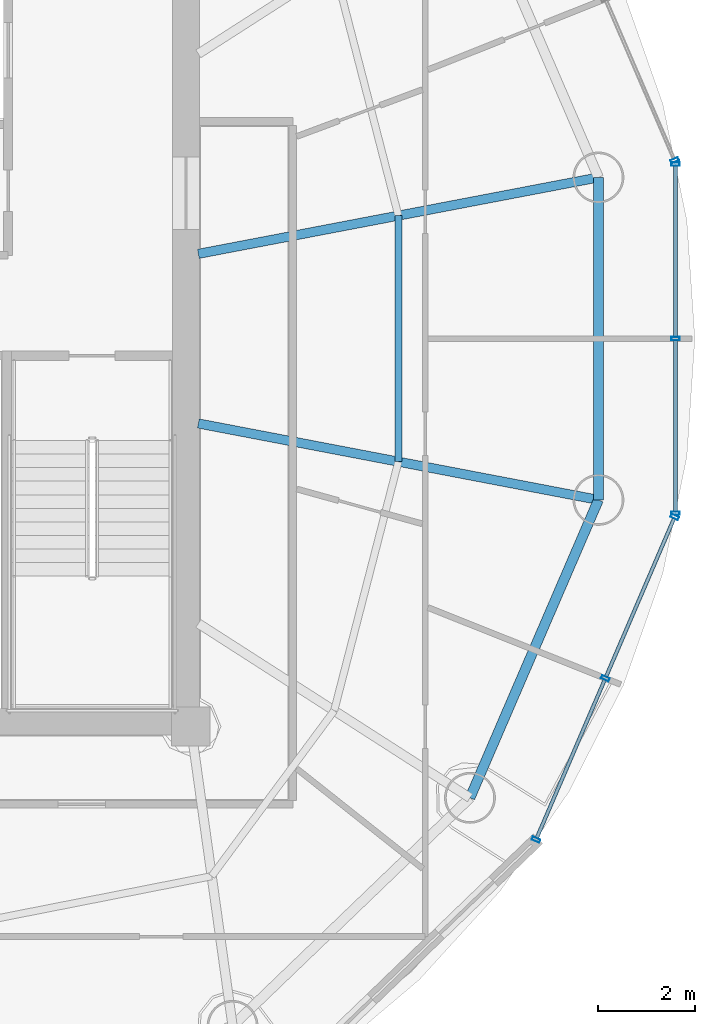
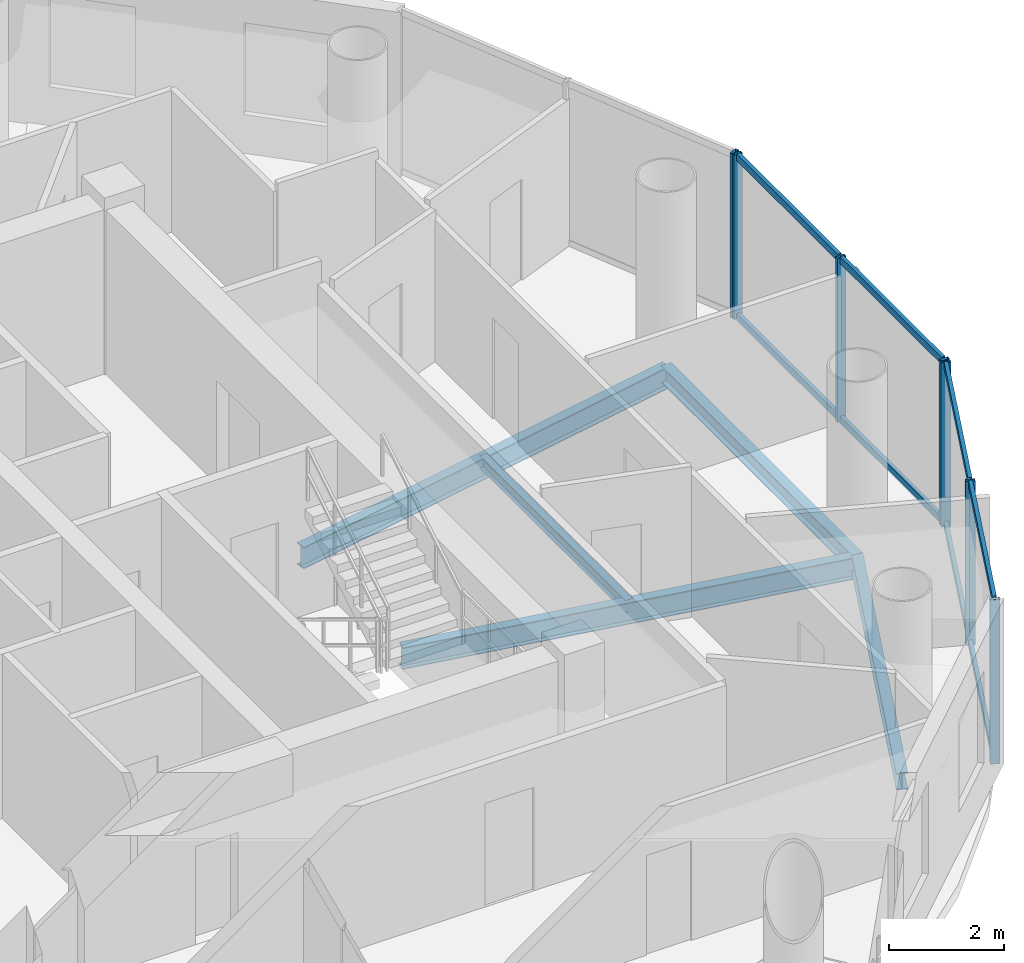
# One storey, part 9 of 21: 15 members, 5 beams, 3 elements without a shape of their own.
"""IFC4 building model written with IfcOpenShell, lengths in metres."""

import ifcopenshell
import ifcopenshell.guid

model = None  # the IFC model being written
_history = None  # IfcOwnerHistory: only IFC2X3 demands one
_inside = {}  # id of a spatial element -> (the spatial element, [elements in it])
_under = {}  # id of a project, library or spatial element -> (it, [spatial elements below it])
_declared = {}  # id of a project -> (the project, [libraries it declares])
_typed = {}  # id of a type object -> (the type object, [elements of that type])
_made_of = {}  # id of a material, layer set ... -> (it, [elements and type objects made of it])


def new_model(schema):
    """Start an empty IFC model of exactly this schema.

    Asked for "IFC4X3", IfcOpenShell would pick the latest addendum, in which some entities
    have other attributes; the version numbers below select the first issue.
    IFC2X3 requires an IfcOwnerHistory on every rooted entity: one is made here for all.
    """
    global model, _history
    if schema == "IFC4X3":
        model = ifcopenshell.file(schema_version=(4, 3, 0, 0))
    else:
        model = ifcopenshell.file(schema=schema)
    _inside.clear()
    _under.clear()
    _declared.clear()
    _typed.clear()
    _made_of.clear()
    _history = None
    if model.schema == "IFC2X3":
        org = make("IfcOrganization", Name="unknown")
        user = make(
            "IfcPersonAndOrganization",
            ThePerson=make("IfcPerson", FamilyName="unknown"),
            TheOrganization=org,
        )
        app = make(
            "IfcApplication",
            ApplicationDeveloper=org,
            Version="unknown",
            ApplicationFullName="unknown",
            ApplicationIdentifier="unknown",
        )
        _history = make(
            "IfcOwnerHistory",
            OwningUser=user,
            OwningApplication=app,
            ChangeAction="ADDED",
            CreationDate=0,
        )
    return model


def make(cls, **values):
    """One entity of the class cls with the attributes given. An attribute that is None is left unset."""
    return model.create_entity(
        cls, **{name: value for name, value in values.items() if value is not None}
    )


def rooted(cls, **values):
    """An entity with a GlobalId (a new one), such as an element, a storey or a relation."""
    return make(cls, GlobalId=ifcopenshell.guid.new(), OwnerHistory=_history, **values)


def si_unit(unit_type, name, prefix=None):
    """IfcSIUnit, for example si_unit("LENGTHUNIT", "METRE", prefix="MILLI")."""
    return make("IfcSIUnit", UnitType=unit_type, Prefix=prefix, Name=name)


def assignment(units):
    """IfcUnitAssignment: the units of a project."""
    return None if units is None else make("IfcUnitAssignment", Units=units)


def point(xyz):
    """IfcCartesianPoint."""
    return None if xyz is None else make("IfcCartesianPoint", Coordinates=xyz)


def direction(xyz):
    """IfcDirection."""
    return None if xyz is None else make("IfcDirection", DirectionRatios=xyz)


def frame(location, z_axis=None, x_axis=None):
    """IfcAxis2Placement3D, a coordinate frame: its origin and axes. An axis left out is left unset."""
    return make(
        "IfcAxis2Placement3D",
        Location=point(location),
        Axis=direction(z_axis),
        RefDirection=direction(x_axis),
    )


def frame_2d(location, x_axis=None):
    """IfcAxis2Placement2D, a coordinate frame in the plane: its origin and x axis."""
    return make(
        "IfcAxis2Placement2D", Location=point(location), RefDirection=direction(x_axis)
    )


def origin():
    """The frame at (0, 0, 0) with its axes left unset."""
    return frame((0.0, 0.0, 0.0))


def origin_2d():
    """The frame at (0, 0) in the plane with its x axis left unset."""
    return frame_2d((0.0, 0.0))


def place(relative_to, where):
    """IfcLocalPlacement: puts the frame where relative to a parent placement (None: the world)."""
    return make(
        "IfcLocalPlacement", PlacementRelTo=relative_to, RelativePlacement=where
    )


def context(
    kind, dimensions, precision=None, world=None, true_north=None, identifier=None
):
    """IfcGeometricRepresentationContext, for example the 3D "Model" context."""
    return make(
        "IfcGeometricRepresentationContext",
        ContextIdentifier=identifier,
        ContextType=kind,
        CoordinateSpaceDimension=dimensions,
        Precision=precision,
        WorldCoordinateSystem=world,
        TrueNorth=true_north,
    )


def subcontext(parent, identifier, kind, view, scale=None):
    """IfcGeometricRepresentationSubContext, for example "Body" below "Model"."""
    return make(
        "IfcGeometricRepresentationSubContext",
        ContextIdentifier=identifier,
        ContextType=kind,
        ParentContext=parent,
        TargetScale=scale,
        TargetView=view,
    )


def project(units=None, contexts=None):
    """IfcProject with its units and contexts."""
    return rooted(
        "IfcProject",
        Name="project",
        RepresentationContexts=contexts,
        UnitsInContext=assignment(units),
    )


def spatial(cls, under=None, at=None, **own):
    """A site, building, storey or space (cls), placed at a placement, below another one or the project."""
    s = rooted(cls, ObjectPlacement=at, **own)
    if under is not None:
        _under.setdefault(under.id(), (under, []))[1].append(s)
    return s


def profile(cls, at=None, kind="AREA", **sizes):
    """A parametric profile (cls). Its sizes go by their IFC names, for example OverallWidth=200.0."""
    return make(cls, ProfileType=kind, Position=at, **sizes)


def hollow_rectangle(**sizes):
    """IfcRectangleHollowProfileDef."""
    return profile("IfcRectangleHollowProfileDef", **sizes)


def i_section(**sizes):
    """IfcIShapeProfileDef."""
    return profile("IfcIShapeProfileDef", **sizes)


def extrude(swept, where, along, depth):
    """IfcExtrudedAreaSolid: the profile swept, set in the frame where, extruded along a direction by depth."""
    return make(
        "IfcExtrudedAreaSolid",
        SweptArea=swept,
        Position=where,
        ExtrudedDirection=direction(along),
        Depth=depth,
    )


def shape(context_of_items, identifier, shape_type, items):
    """IfcShapeRepresentation: the items that make up one representation, for example the "Body"."""
    return make(
        "IfcShapeRepresentation",
        ContextOfItems=context_of_items,
        RepresentationIdentifier=identifier,
        RepresentationType=shape_type,
        Items=items,
    )


def source(mapping_origin, context_of_items, identifier, shape_type, items):
    """IfcRepresentationMap: a shape defined once, which mapped items show again and again."""
    return make(
        "IfcRepresentationMap",
        MappingOrigin=mapping_origin,
        MappedRepresentation=shape(context_of_items, identifier, shape_type, items),
    )


def transform(
    local_origin,
    x_axis=None,
    y_axis=None,
    z_axis=None,
    scale=None,
    scale2=None,
    scale3=None,
    uniform=True,
):
    """IfcCartesianTransformationOperator3D, or its non-uniform kind. x_axis, y_axis, z_axis: its Axis1, 2, 3."""
    if uniform:
        return make(
            "IfcCartesianTransformationOperator3D",
            Axis1=direction(x_axis),
            Axis2=direction(y_axis),
            LocalOrigin=point(local_origin),
            Scale=scale,
            Axis3=direction(z_axis),
        )
    return make(
        "IfcCartesianTransformationOperator3DnonUniform",
        Axis1=direction(x_axis),
        Axis2=direction(y_axis),
        LocalOrigin=point(local_origin),
        Scale=scale,
        Axis3=direction(z_axis),
        Scale2=scale2,
        Scale3=scale3,
    )


def mapped(mapping_source, mapping_target):
    """IfcMappedItem: shows the shape of a source again, moved by a transform."""
    return make(
        "IfcMappedItem", MappingSource=mapping_source, MappingTarget=mapping_target
    )


def material(Name=None, Category=None):
    """IfcMaterial."""
    return make("IfcMaterial", Name=Name, Category=Category)


def material_profile(
    of_material, cross_section, Name=None, Category=None, Priority=None
):
    """IfcMaterialProfile: a cross section and its material."""
    return make(
        "IfcMaterialProfile",
        Name=Name,
        Material=of_material,
        Profile=cross_section,
        Priority=Priority,
        Category=Category,
    )


def profile_set(profiles, Name=None, composite=None):
    """IfcMaterialProfileSet."""
    return make(
        "IfcMaterialProfileSet",
        Name=Name,
        MaterialProfiles=profiles,
        CompositeProfile=composite,
    )


def made_of(thing, what):
    """Note that an element or type object is made of a material, layer set ...; save() writes the relation."""
    if what is not None:
        _made_of.setdefault(what.id(), (what, []))[1].append(thing)
    return thing


def type_object(cls, material=None, **own):
    """A type object (cls), such as IfcWallType, which elements share."""
    return made_of(rooted(cls, **own), material)


def element(
    cls,
    number,
    at=None,
    inside=None,
    cuts=None,
    type_object=None,
    material=None,
    context=None,
    identifier="Body",
    shape_type=None,
    held_by="IfcProductDefinitionShape",
    body=None,
    shapes=None,
    **own,
):
    """One element of the class cls, such as IfcWall. Its Tag is "e" and its number.

    at: its placement. inside: the storey or other place that contains it. cuts: it is an
    opening in that element (IfcRelVoidsElement). A single representation is given by context,
    identifier, shape_type and body (its items); several are given by shapes. held_by: the class
    of the entity that holds the representations. save() writes the other relations.
    """
    e = rooted(cls, Tag="e%d" % number, ObjectPlacement=at, **own)
    if body is not None:
        shapes = [shape(context, identifier, shape_type, body)]
    if shapes is not None:
        e.Representation = make(held_by, Representations=shapes)
    if inside is not None:
        _inside.setdefault(inside.id(), (inside, []))[1].append(e)
    if cuts is not None:
        rooted(
            "IfcRelVoidsElement", RelatingBuildingElement=cuts, RelatedOpeningElement=e
        )
    if type_object is not None:
        _typed.setdefault(type_object.id(), (type_object, []))[1].append(e)
    return made_of(e, material)


def aggregate(whole, parts):
    """IfcRelAggregates: a whole, such as a stair, and the parts it consists of."""
    return rooted("IfcRelAggregates", RelatingObject=whole, RelatedObjects=parts)


def save(model, path):
    """Write the relations noted so far, then the file.

    IfcRelAggregates (storeys below a building ...), IfcRelContainedInSpatialStructure (elements
    in a storey), IfcRelDefinesByType, IfcRelAssociatesMaterial and IfcRelDeclares: one each for
    every whole, place, type object, material and project.
    """
    for whole, parts in _under.values():
        aggregate(whole, parts)
    for where, things in _inside.values():
        rooted(
            "IfcRelContainedInSpatialStructure",
            RelatedElements=things,
            RelatingStructure=where,
        )
    for kind, things in _typed.values():
        rooted("IfcRelDefinesByType", RelatedObjects=things, RelatingType=kind)
    for what, things in _made_of.values():
        rooted("IfcRelAssociatesMaterial", RelatedObjects=things, RelatingMaterial=what)
    for by, libraries in _declared.values():
        rooted("IfcRelDeclares", RelatingContext=by, RelatedDefinitions=libraries)
    model.write(path)


model = new_model("IFC4")

# Units and contexts
model_context = context("Model", 3, precision=1e-05, world=origin(), true_north=direction((-0.2419218956, 0.970295726276)))
body_context = subcontext(model_context, "Body", "Model", "MODEL_VIEW")
ifc_project = project(units=[si_unit("LENGTHUNIT", "METRE"), si_unit("AREAUNIT", "SQUARE_METRE"), si_unit("VOLUMEUNIT", "CUBIC_METRE"), si_unit("PLANEANGLEUNIT", "RADIAN"), si_unit("MASSUNIT", "GRAM", prefix="KILO")], contexts=[model_context])

# Site, building, storey
site_placement = place(None, origin())
site = spatial("IfcSite", under=ifc_project, at=site_placement, CompositionType="ELEMENT")
building_placement = place(site_placement, origin())
building = spatial("IfcBuilding", under=site, at=building_placement, Name="Cobrevalo Terracotta Tower", CompositionType="ELEMENT")
storey_placement = place(building_placement, frame((0.0, 0.0, 281.949951171875)))
storey = spatial("IfcBuildingStorey", under=building, at=storey_placement, Name="L74", CompositionType="ELEMENT", Elevation=281.949951171875)

# Beams
ifc_material_1 = material(Name="Steel S355", Category="steel")
ifc_material_profile_1 = material_profile(ifc_material_1, i_section(OverallWidth=0.19091796875, OverallDepth=0.4599609375, WebThickness=0.010009765625, FlangeThickness=0.01611328125, at=origin_2d()), Name="W 460x82")
ifc_profile_set_1 = profile_set([ifc_material_profile_1], Name="Steel S355")
beam_type_1 = type_object("IfcBeamType", Name="Structural Beam W 460x82 (Steel S355)", PredefinedType="BEAM", material=ifc_profile_set_1)
beam_1_placement = place(storey_placement, frame((55.408935546875, 30.126220703125, -0.489990234375), z_axis=(-0.982234917636, -0.187655446433, 0.0), x_axis=(0.187655446433, -0.982234917636, 0.0)))
element("IfcBeam", 1, at=beam_1_placement, inside=storey, type_object=beam_type_1, Name="L74 radial floor girder 01", PredefinedType="BEAM", context=body_context, shape_type="SweptSolid", body=[
    extrude(i_section(OverallWidth=0.19091796875, OverallDepth=0.4599609375, WebThickness=0.010009765625, FlangeThickness=0.01611328125, at=origin_2d()), origin(), (0.0, 0.0, 1.0), 8.403076171875),
])
beam_2_placement = place(storey_placement, frame((55.408935546875, 23.4736328125, -0.489990234375), z_axis=(-0.982229562106, 0.187683476432, 0.0), x_axis=(-0.187683476432, -0.982229562106, 0.0)))
element("IfcBeam", 2, at=beam_2_placement, inside=storey, type_object=beam_type_1, Name="L74 radial floor girder 16", PredefinedType="BEAM", context=body_context, shape_type="SweptSolid", body=[
    extrude(i_section(OverallWidth=0.19091796875, OverallDepth=0.4599609375, WebThickness=0.010009765625, FlangeThickness=0.01611328125, at=origin_2d()), origin(), (0.0, 0.0, 1.0), 8.4033203125),
])
ifc_material_profile_2 = material_profile(ifc_material_1, i_section(OverallWidth=0.14794921875, OverallDepth=0.26611328125, WebThickness=0.007568359375, FlangeThickness=0.012939453125, at=origin_2d()), Name="W 250x44.8")
ifc_profile_set_2 = profile_set([ifc_material_profile_2], Name="Steel S355")
beam_type_2 = type_object("IfcBeamType", Name="Structural Joist W 250x44.8 (Steel S355)", PredefinedType="JOIST", material=ifc_profile_set_2)
beam_3_placement = place(storey_placement, frame((51.281982421875, 24.26220703125, -0.39306640625), z_axis=(0.0, 1.0, 0.0), x_axis=(-1.0, 0.0, 0.0)))
element("IfcBeam", 3, at=beam_3_placement, inside=storey, type_object=beam_type_2, Name="L74 circumferential secondary floor joist 16", PredefinedType="JOIST", context=body_context, shape_type="SweptSolid", body=[
    extrude(i_section(OverallWidth=0.14794921875, OverallDepth=0.26611328125, WebThickness=0.007568359375, FlangeThickness=0.012939453125, at=origin_2d()), origin(), (0.0, 0.0, 1.0), 5.075439453125),
])
ifc_material_profile_3 = material_profile(ifc_material_1, i_section(OverallWidth=0.205078125, OverallDepth=0.35400390625, WebThickness=0.009521484375, FlangeThickness=0.016845703125, at=origin_2d()), Name="W 360x79")
ifc_profile_set_3 = profile_set([ifc_material_profile_3], Name="Steel S355")
beam_type_3 = type_object("IfcBeamType", Name="Structural Spandrel W 360x79 (Steel S355)", PredefinedType="SPANDREL", material=ifc_profile_set_3)
beam_4_placement = place(storey_placement, frame((52.758544921875, 17.32763671875, -0.43701171875), z_axis=(0.395987390706, 0.918255948198, 0.0), x_axis=(-0.918255948198, 0.395987390706, 0.0)))
element("IfcBeam", 4, at=beam_4_placement, inside=storey, type_object=beam_type_3, Name="L74 perimeter ring spandrel 15", PredefinedType="SPANDREL", context=body_context, shape_type="SweptSolid", body=[
    extrude(i_section(OverallWidth=0.205078125, OverallDepth=0.35400390625, WebThickness=0.009521484375, FlangeThickness=0.016845703125, at=origin_2d()), origin(), (0.0, 0.0, 1.0), 6.693115234375),
])
beam_5_placement = place(storey_placement, frame((55.408935546875, 23.4736328125, -0.43701171875), z_axis=(0.0, 1.0, 0.0), x_axis=(-1.0, 0.0, 0.0)))
element("IfcBeam", 5, at=beam_5_placement, inside=storey, type_object=beam_type_3, Name="L74 perimeter ring spandrel 16", PredefinedType="SPANDREL", context=body_context, shape_type="SweptSolid", body=[
    extrude(i_section(OverallWidth=0.205078125, OverallDepth=0.35400390625, WebThickness=0.009521484375, FlangeThickness=0.016845703125, at=origin_2d()), origin(), (0.0, 0.0, 1.0), 6.652587890625),
])

# Curtain wall, member
ifc_material_2 = material(Name="Anodized aluminium", Category="aluminium")
curtain_wall_type = type_object("IfcCurtainWallType", Name="Upper-tower triple-glazed penthouse curtain wall CW-U3", PredefinedType="NOTDEFINED", material=ifc_material_2)
curtain_wall_1_placement = place(storey_placement, origin())
curtain_wall_1 = element("IfcCurtainWall", 6, at=curtain_wall_1_placement, inside=storey, type_object=curtain_wall_type, Name="L74 curtain wall CW-L74-S01", PredefinedType="NOTDEFINED")
ifc_material_profile_4 = material_profile(ifc_material_2, hollow_rectangle(XDim=0.070068359375, YDim=0.169921875, WallThickness=0.00439453125, at=origin_2d()), Name="CWM 70x170")
ifc_profile_set_4 = profile_set([ifc_material_profile_4], Name="Anodized aluminium")
member_type_1 = type_object("IfcMemberType", Name="Upper tower unitised mullion 70x170", PredefinedType="MULLION", material=ifc_profile_set_4)
shared_shape_1 = source(origin(), body_context, "Body", "SweptSolid", [
    extrude(hollow_rectangle(XDim=0.070068359375, YDim=0.169921875, WallThickness=0.00439453125, at=origin_2d()), origin(), (0.0, 0.0, 1.0), 3.489990234375),
])
member_1_placement = place(storey_placement, frame((56.98193359375, 30.47900390625, 0.0), z_axis=(0.0, 0.0, 1.0), x_axis=(-0.39482403454, 0.91875675875, 0.0)))
member_1 = element("IfcMember", 7, at=member_1_placement, type_object=member_type_1, Name="CW-L74-S01 vertical mullion 01", PredefinedType="MULLION", context=body_context, shape_type="MappedRepresentation", body=[
    mapped(shared_shape_1, transform((0.0, 0.0, 0.0), scale=1.0)),
])
aggregate(curtain_wall_1, [member_1])

# Curtain wall, members
curtain_wall_2_placement = place(storey_placement, origin())
curtain_wall_2 = element("IfcCurtainWall", 8, at=curtain_wall_2_placement, inside=storey, type_object=curtain_wall_type, Name="L74 curtain wall CW-L74-S15", PredefinedType="NOTDEFINED")
member_2_placement = place(storey_placement, frame((54.121337890625, 16.46435546875, 0.0), z_axis=(0.0, 0.0, 1.0), x_axis=(0.39482403454, 0.91875675875, 0.0)))
member_2 = element("IfcMember", 9, at=member_2_placement, type_object=member_type_1, Name="CW-L74-S15 vertical mullion 01", PredefinedType="MULLION", context=body_context, shape_type="MappedRepresentation", body=[
    mapped(shared_shape_1, transform((0.0, 0.0, 0.0), scale=1.0)),
])
member_3_placement = place(storey_placement, frame((55.5517578125, 19.79248046875, 0.0), z_axis=(0.0, 0.0, 1.0), x_axis=(0.39482403454, 0.91875675875, 0.0)))
member_3 = element("IfcMember", 10, at=member_3_placement, type_object=member_type_1, Name="CW-L74-S15 vertical mullion 02", PredefinedType="MULLION", context=body_context, shape_type="MappedRepresentation", body=[
    mapped(shared_shape_1, transform((0.0, 0.0, 0.0), scale=1.0)),
])
member_4_placement = place(storey_placement, frame((56.98193359375, 23.120849609375, 0.0), z_axis=(0.0, 0.0, 1.0), x_axis=(0.39482403454, 0.91875675875, 0.0)))
member_4 = element("IfcMember", 11, at=member_4_placement, type_object=member_type_1, Name="CW-L74-S15 vertical mullion 03", PredefinedType="MULLION", context=body_context, shape_type="MappedRepresentation", body=[
    mapped(shared_shape_1, transform((0.0, 0.0, 0.0), scale=1.0)),
])

curtain_wall_3_placement = place(storey_placement, origin())
curtain_wall_3 = element("IfcCurtainWall", 12, at=curtain_wall_3_placement, inside=storey, type_object=curtain_wall_type, Name="L74 curtain wall CW-L74-S16", PredefinedType="NOTDEFINED")
member_5_placement = place(storey_placement, frame((56.997802734375, 23.19775390625, 0.0), z_axis=(0.0, 0.0, 1.0), x_axis=(0.0, 1.0, 0.0)))
member_5 = element("IfcMember", 13, at=member_5_placement, type_object=member_type_1, Name="CW-L74-S16 vertical mullion 01", PredefinedType="MULLION", context=body_context, shape_type="MappedRepresentation", body=[
    mapped(shared_shape_1, transform((0.0, 0.0, 0.0), scale=1.0)),
])
member_6_placement = place(storey_placement, frame((56.997802734375, 26.800048828125, 0.0), z_axis=(0.0, 0.0, 1.0), x_axis=(0.0, 1.0, 0.0)))
member_6 = element("IfcMember", 14, at=member_6_placement, type_object=member_type_1, Name="CW-L74-S16 vertical mullion 02", PredefinedType="MULLION", context=body_context, shape_type="MappedRepresentation", body=[
    mapped(shared_shape_1, transform((0.0, 0.0, 0.0), scale=1.0)),
])
member_7_placement = place(storey_placement, frame((56.997802734375, 30.40234375, 0.0), z_axis=(0.0, 0.0, 1.0), x_axis=(0.0, 1.0, 0.0)))
member_7 = element("IfcMember", 15, at=member_7_placement, type_object=member_type_1, Name="CW-L74-S16 vertical mullion 03", PredefinedType="MULLION", context=body_context, shape_type="MappedRepresentation", body=[
    mapped(shared_shape_1, transform((0.0, 0.0, 0.0), scale=1.0)),
])

# Member
ifc_material_profile_5 = material_profile(ifc_material_2, hollow_rectangle(XDim=0.074951171875, YDim=0.14990234375, WallThickness=0.00439453125, at=origin_2d()), Name="CWT 75x150")
ifc_profile_set_5 = profile_set([ifc_material_profile_5], Name="Anodized aluminium")
member_type_2 = type_object("IfcMemberType", Name="Tower unitised aluminium transom 75x150", PredefinedType="USERDEFINED", material=ifc_profile_set_5)
shared_shape_2 = source(origin(), body_context, "Body", "SweptSolid", [
    extrude(hollow_rectangle(XDim=0.074951171875, YDim=0.14990234375, WallThickness=0.00439453125, at=origin_2d()), origin(), (0.0, 0.0, 1.0), 3.542724609375),
])
member_8_placement = place(storey_placement, frame((54.13720703125, 16.5009765625, 0.050048828125), z_axis=(0.394809056766, 0.918763195114, 0.0), x_axis=(-0.918763195114, 0.394809056766, 0.0)))
member_8 = element("IfcMember", 16, at=member_8_placement, type_object=member_type_2, Name="CW-L74-S15 transom B01-T1", ObjectType="TRANSOM", PredefinedType="USERDEFINED", context=body_context, shape_type="MappedRepresentation", body=[
    mapped(shared_shape_2, transform((0.0, 0.0, 0.0), scale=1.0)),
])

member_9_placement = place(storey_placement, frame((54.13720703125, 16.5009765625, 3.43994140625), z_axis=(0.394809056766, 0.918763195114, 0.0), x_axis=(-0.918763195114, 0.394809056766, 0.0)))
member_9 = element("IfcMember", 17, at=member_9_placement, type_object=member_type_2, Name="CW-L74-S15 transom B01-T2", ObjectType="TRANSOM", PredefinedType="USERDEFINED", context=body_context, shape_type="MappedRepresentation", body=[
    mapped(shared_shape_2, transform((0.0, 0.0, 0.0), scale=1.0)),
])

member_10_placement = place(storey_placement, frame((55.5673828125, 19.829345703125, 0.050048828125), z_axis=(0.394867226589, 0.918738196314, 0.0), x_axis=(-0.918738196314, 0.394867226589, 0.0)))
member_10 = element("IfcMember", 18, at=member_10_placement, type_object=member_type_2, Name="CW-L74-S15 transom B02-T1", ObjectType="TRANSOM", PredefinedType="USERDEFINED", context=body_context, shape_type="MappedRepresentation", body=[
    mapped(shared_shape_2, transform((0.0, 0.0, 0.0), scale=1.0)),
])

member_11_placement = place(storey_placement, frame((55.5673828125, 19.829345703125, 3.43994140625), z_axis=(0.394867226589, 0.918738196314, 0.0), x_axis=(-0.918738196314, 0.394867226589, 0.0)))
member_11 = element("IfcMember", 19, at=member_11_placement, type_object=member_type_2, Name="CW-L74-S15 transom B02-T2", ObjectType="TRANSOM", PredefinedType="USERDEFINED", context=body_context, shape_type="MappedRepresentation", body=[
    mapped(shared_shape_2, transform((0.0, 0.0, 0.0), scale=1.0)),
])

aggregate(curtain_wall_2, [member_2, member_3, member_4, member_8, member_9, member_10, member_11])

shared_shape_3 = source(origin(), body_context, "Body", "SweptSolid", [
    extrude(hollow_rectangle(XDim=0.074951171875, YDim=0.14990234375, WallThickness=0.00439453125, at=origin_2d()), origin(), (0.0, 0.0, 1.0), 3.522216796875),
])
member_12_placement = place(storey_placement, frame((56.997802734375, 26.840087890625, 0.050048828125), z_axis=(0.0, 1.0, 0.0), x_axis=(-1.0, 0.0, 0.0)))
member_12 = element("IfcMember", 20, at=member_12_placement, type_object=member_type_2, Name="CW-L74-S16 transom B02-T1", ObjectType="TRANSOM", PredefinedType="USERDEFINED", context=body_context, shape_type="MappedRepresentation", body=[
    mapped(shared_shape_3, transform((0.0, 0.0, 0.0), scale=1.0)),
])

member_13_placement = place(storey_placement, frame((56.997802734375, 26.840087890625, 3.43994140625), z_axis=(0.0, 1.0, 0.0), x_axis=(-1.0, 0.0, 0.0)))
member_13 = element("IfcMember", 21, at=member_13_placement, type_object=member_type_2, Name="CW-L74-S16 transom B02-T2", ObjectType="TRANSOM", PredefinedType="USERDEFINED", context=body_context, shape_type="MappedRepresentation", body=[
    mapped(shared_shape_3, transform((0.0, 0.0, 0.0), scale=1.0)),
])

shared_shape_4 = source(origin(), body_context, "Body", "SweptSolid", [
    extrude(hollow_rectangle(XDim=0.074951171875, YDim=0.14990234375, WallThickness=0.00439453125, at=origin_2d()), origin(), (0.0, 0.0, 1.0), 3.5224609375),
])
member_14_placement = place(storey_placement, frame((56.997802734375, 23.237548828125, 0.050048828125), z_axis=(0.0, 1.0, 0.0), x_axis=(-1.0, 0.0, 0.0)))
member_14 = element("IfcMember", 22, at=member_14_placement, type_object=member_type_2, Name="CW-L74-S16 transom B01-T1", ObjectType="TRANSOM", PredefinedType="USERDEFINED", context=body_context, shape_type="MappedRepresentation", body=[
    mapped(shared_shape_4, transform((0.0, 0.0, 0.0), scale=1.0)),
])

member_15_placement = place(storey_placement, frame((56.997802734375, 23.237548828125, 3.43994140625), z_axis=(0.0, 1.0, 0.0), x_axis=(-1.0, 0.0, 0.0)))
member_15 = element("IfcMember", 23, at=member_15_placement, type_object=member_type_2, Name="CW-L74-S16 transom B01-T2", ObjectType="TRANSOM", PredefinedType="USERDEFINED", context=body_context, shape_type="MappedRepresentation", body=[
    mapped(shared_shape_4, transform((0.0, 0.0, 0.0), scale=1.0)),
])

aggregate(curtain_wall_3, [member_5, member_6, member_7, member_14, member_15, member_12, member_13])

save(model, "model.ifc")
